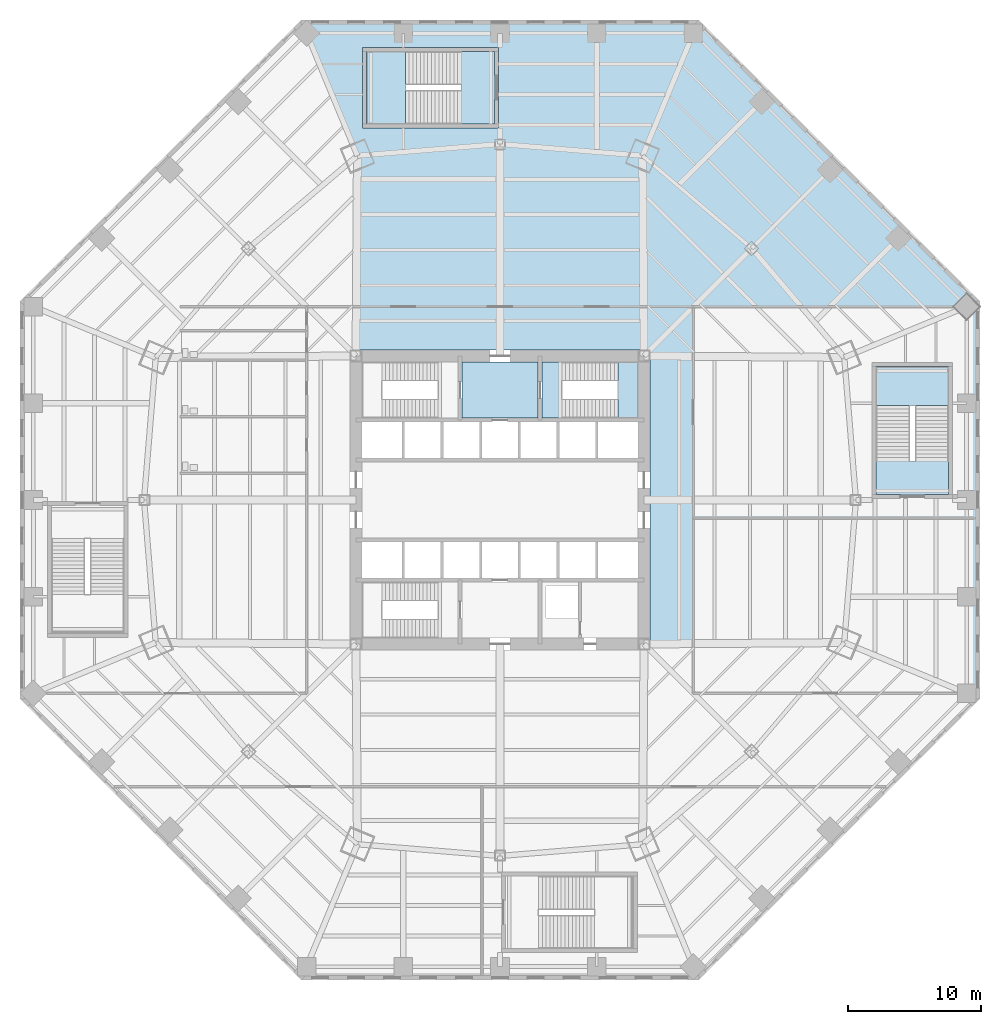
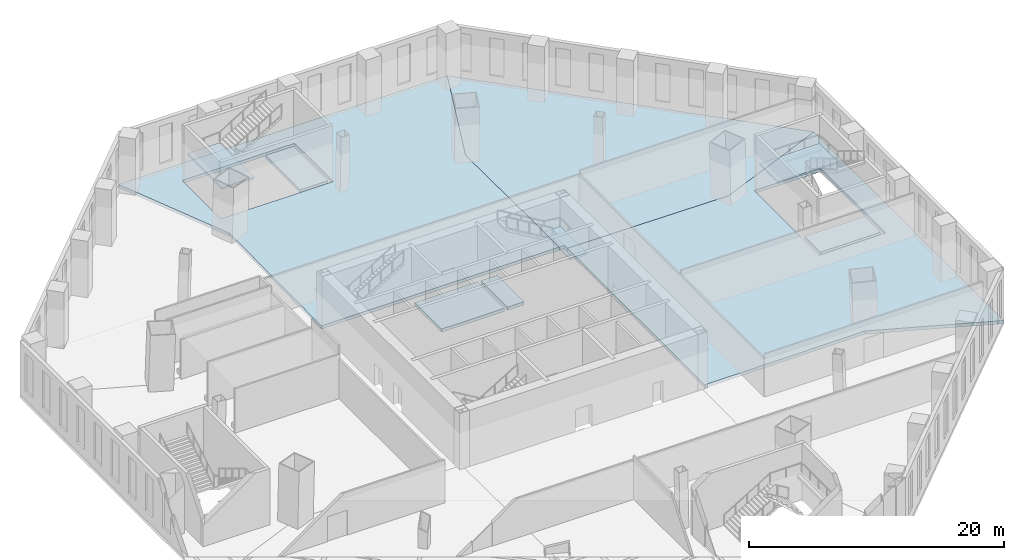
# One storey, part 7 of 18: 10 slabs, 3 elements without a shape of their own.
"""IFC4 building model written with IfcOpenShell, lengths in metres."""

from ifc_helpers import new_model, si_unit, direction, frame, origin, place, context, subcontext, project, spatial, polyline, outline, extrude, material, layer, layer_set, type_object, element, aggregate, save


model = new_model("IFC4")

# Units and contexts
model_context = context("Model", 3, precision=1e-05, world=origin(), true_north=direction((0.0, 1.0)))
body_context = subcontext(model_context, "Body", "Model", "MODEL_VIEW")
ifc_project = project(units=[si_unit("LENGTHUNIT", "METRE"), si_unit("AREAUNIT", "SQUARE_METRE"), si_unit("VOLUMEUNIT", "CUBIC_METRE"), si_unit("PLANEANGLEUNIT", "RADIAN"), si_unit("MASSUNIT", "GRAM", prefix="KILO")], contexts=[model_context])

# Site, building, storey
site_placement = place(None, origin())
site = spatial("IfcSite", under=ifc_project, at=site_placement, CompositionType="ELEMENT")
building_placement = place(site_placement, origin())
building = spatial("IfcBuilding", under=site, at=building_placement, Name="Mashrafa Tower", CompositionType="ELEMENT")
storey_placement = place(building_placement, frame((0.0, 0.0, 18.60009765625)))
storey = spatial("IfcBuildingStorey", under=building, at=storey_placement, Name="L03", CompositionType="ELEMENT", Elevation=18.60009765625)

# Slabs
ifc_material_1 = material(Name="Concrete C35/45", Category="concrete")
ifc_layer_1 = layer(ifc_material_1, 0.300048828125)
ifc_layer_set_1 = layer_set([ifc_layer_1], Name="Floor slab 300")
slab_type_1 = type_object("IfcSlabType", Name="Floor slab 300", PredefinedType="FLOOR", material=ifc_layer_set_1)
slab_1_placement = place(storey_placement, frame((0.0, 0.0, -0.300048828125)))
element("IfcSlab", 1, at=slab_1_placement, inside=storey, type_object=slab_type_1, Name="Floor slab L03 east bay", PredefinedType="FLOOR", context=body_context, shape_type="SweptSolid", body=[
    extrude(outline(polyline([(36.0, 14.91162109375), (36.0, -14.91162109375), (36.0, -14.91162109375), (35.0, -14.49755859375), (25.81884765625, -10.694580078125), (11.25, -10.796875), (11.25, 10.796875), (25.81884765625, 10.694580078125), (35.0, 14.49755859375), (36.0, 14.91162109375), (36.0, 14.91162109375)]), holes=[polyline([(33.949951171875, 0.10009765625), (33.949951171875, 10.300048828125), (27.89990234375, 10.300048828125), (27.89990234375, 0.10009765625), (33.949951171875, 0.10009765625)])]), origin(), (0.0, 0.0, 1.0), 0.300048828125),
])
slab_2_placement = place(storey_placement, frame((0.0, 0.0, -0.300048828125)))
element("IfcSlab", 2, at=slab_2_placement, inside=storey, type_object=slab_type_1, Name="Floor slab L03 north-east bay", PredefinedType="FLOOR", context=body_context, shape_type="SweptSolid", body=[
    extrude(outline(polyline([(36.0, 14.91162109375), (35.0, 14.49755859375), (25.81884765625, 10.694580078125), (11.25, 10.796875), (11.25, 11.25), (10.796875, 11.25), (10.694580078125, 25.81884765625), (14.49755859375, 35.0), (14.91162109375, 36.0), (36.0, 14.91162109375)])), origin(), (0.0, 0.0, 1.0), 0.300048828125),
])
slab_3_placement = place(storey_placement, frame((0.0, 0.0, -0.300048828125)))
element("IfcSlab", 3, at=slab_3_placement, inside=storey, type_object=slab_type_1, Name="Floor slab L03 north bay", PredefinedType="FLOOR", context=body_context, shape_type="SweptSolid", body=[
    extrude(outline(polyline([(-14.91162109375, 36.0), (14.91162109375, 36.0), (14.91162109375, 36.0), (14.49755859375, 35.0), (10.694580078125, 25.81884765625), (10.796875, 11.25), (-10.796875, 11.25), (-10.694580078125, 25.81884765625), (-14.49755859375, 35.0), (-14.91162109375, 36.0), (-14.91162109375, 36.0)]), holes=[polyline([(-10.300048828125, 27.89990234375), (-0.10009765625, 27.89990234375), (-0.10009765625, 33.949951171875), (-10.300048828125, 33.949951171875), (-10.300048828125, 27.89990234375)])]), origin(), (0.0, 0.0, 1.0), 0.300048828125),
])
slab_4_placement = place(storey_placement, frame((0.0, 0.0, -0.300048828125)))
element("IfcSlab", 4, at=slab_4_placement, inside=storey, type_object=slab_type_1, Name="Core floor fire-fighting lobby north L03", PredefinedType="FLOOR", context=body_context, shape_type="SweptSolid", body=[
    extrude(outline(polyline([(-2.85009765625, 10.35009765625), (2.85009765625, 10.35009765625), (2.85009765625, 6.14990234375), (-2.85009765625, 6.14990234375), (-2.85009765625, 10.35009765625)])), origin(), (0.0, 0.0, 1.0), 0.300048828125),
])

# Stair, slab
ifc_material_2 = material(Name="Exit stair 1400")
stair_type_1 = type_object("IfcStairType", Name="Exit stair 1400", PredefinedType="HALF_TURN_STAIR", material=ifc_material_2)
stair_1_placement = place(storey_placement, origin())
stair_1 = element("IfcStair", 5, at=stair_1_placement, inside=storey, type_object=stair_type_1, Name="Stair S2 L03", PredefinedType="HALF_TURN_STAIR")
ifc_material_3 = material(Name="Concrete C32/40", Category="concrete")
ifc_layer_2 = layer(ifc_material_3, 0.199951171875)
ifc_layer_set_2 = layer_set([ifc_layer_2], Name="Stair landing 200")
slab_type_2 = type_object("IfcSlabType", Name="Stair landing 200", PredefinedType="LANDING", material=ifc_layer_set_2)
slab_5_placement = place(storey_placement, frame((0.0, 0.0, 2.5)))
slab_5 = element("IfcSlab", 6, at=slab_5_placement, type_object=slab_type_2, Name="S2 landing 2", PredefinedType="LANDING", context=body_context, shape_type="SweptSolid", body=[
    extrude(outline(polyline([(8.840087890625, 6.14990234375), (10.35009765625, 6.14990234375), (10.35009765625, 10.35009765625), (8.840087890625, 10.35009765625), (8.840087890625, 6.14990234375)])), origin(), (0.0, 0.0, 1.0), 0.199951171875),
])

ifc_material_4 = material(Name="Exit stair 2500")
stair_type_2 = type_object("IfcStairType", Name="Exit stair 2500", PredefinedType="HALF_TURN_STAIR", material=ifc_material_4)
stair_2_placement = place(storey_placement, origin())
stair_2 = element("IfcStair", 7, at=stair_2_placement, inside=storey, type_object=stair_type_2, Name="Stair P1 L03", PredefinedType="HALF_TURN_STAIR")
slab_6_placement = place(storey_placement, frame((0.0, 0.0, 2.5)))
slab_6 = element("IfcSlab", 8, at=slab_6_placement, type_object=slab_type_2, Name="P1 landing 2", PredefinedType="LANDING", context=body_context, shape_type="SweptSolid", body=[
    extrude(outline(polyline([(33.64990234375, 7.090087890625), (33.64990234375, 10.0), (28.199951171875, 10.0), (28.199951171875, 7.090087890625), (33.64990234375, 7.090087890625)])), origin(), (0.0, 0.0, 1.0), 0.199951171875),
])

stair_3_placement = place(storey_placement, origin())
stair_3 = element("IfcStair", 9, at=stair_3_placement, inside=storey, type_object=stair_type_2, Name="Stair P2 L03", PredefinedType="HALF_TURN_STAIR")
slab_7_placement = place(storey_placement, frame((0.0, 0.0, 2.5)))
slab_7 = element("IfcSlab", 10, at=slab_7_placement, type_object=slab_type_2, Name="P2 landing 2", PredefinedType="LANDING", context=body_context, shape_type="SweptSolid", body=[
    extrude(outline(polyline([(-10.0, 28.199951171875), (-7.090087890625, 28.199951171875), (-7.090087890625, 33.64990234375), (-10.0, 33.64990234375), (-10.0, 28.199951171875)])), origin(), (0.0, 0.0, 1.0), 0.199951171875),
])

# Slab
ifc_material_5 = material(Name="Concrete C32/40", Category="concrete")
ifc_layer_3 = layer(ifc_material_5, 0.300048828125)
ifc_layer_set_3 = layer_set([ifc_layer_3], Name="Stair landing 300")
slab_type_3 = type_object("IfcSlabType", Name="Stair landing 300", PredefinedType="LANDING", material=ifc_layer_set_3)
slab_8_placement = place(storey_placement, frame((0.0, 0.0, -0.300048828125)))
slab_8 = element("IfcSlab", 11, at=slab_8_placement, type_object=slab_type_3, Name="S2 landing 1", PredefinedType="LANDING", context=body_context, shape_type="SweptSolid", body=[
    extrude(outline(polyline([(3.14990234375, 6.14990234375), (4.659912109375, 6.14990234375), (4.659912109375, 10.35009765625), (3.14990234375, 10.35009765625), (3.14990234375, 6.14990234375)])), origin(), (0.0, 0.0, 1.0), 0.300048828125),
])

aggregate(stair_1, [slab_8, slab_5])

slab_9_placement = place(storey_placement, frame((0.0, 0.0, -0.300048828125)))
slab_9 = element("IfcSlab", 12, at=slab_9_placement, type_object=slab_type_3, Name="P1 landing 1", PredefinedType="LANDING", context=body_context, shape_type="SweptSolid", body=[
    extrude(outline(polyline([(33.64990234375, 0.39990234375), (33.64990234375, 2.909912109375), (28.199951171875, 2.909912109375), (28.199951171875, 0.39990234375), (33.64990234375, 0.39990234375)])), origin(), (0.0, 0.0, 1.0), 0.300048828125),
])

aggregate(stair_2, [slab_9, slab_6])

slab_10_placement = place(storey_placement, frame((0.0, 0.0, -0.300048828125)))
slab_10 = element("IfcSlab", 13, at=slab_10_placement, type_object=slab_type_3, Name="P2 landing 1", PredefinedType="LANDING", context=body_context, shape_type="SweptSolid", body=[
    extrude(outline(polyline([(-2.909912109375, 28.199951171875), (-0.39990234375, 28.199951171875), (-0.39990234375, 33.64990234375), (-2.909912109375, 33.64990234375), (-2.909912109375, 28.199951171875)])), origin(), (0.0, 0.0, 1.0), 0.300048828125),
])

aggregate(stair_3, [slab_10, slab_7])

save(model, "model.ifc")
